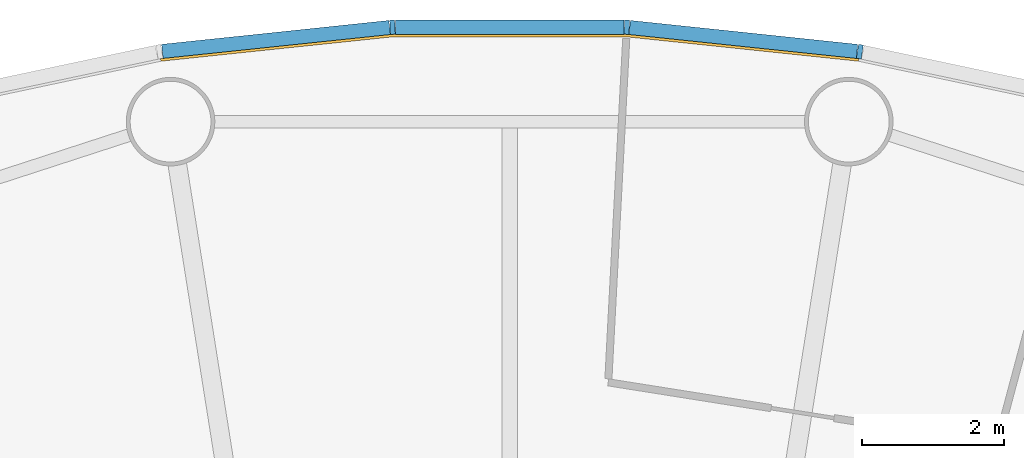
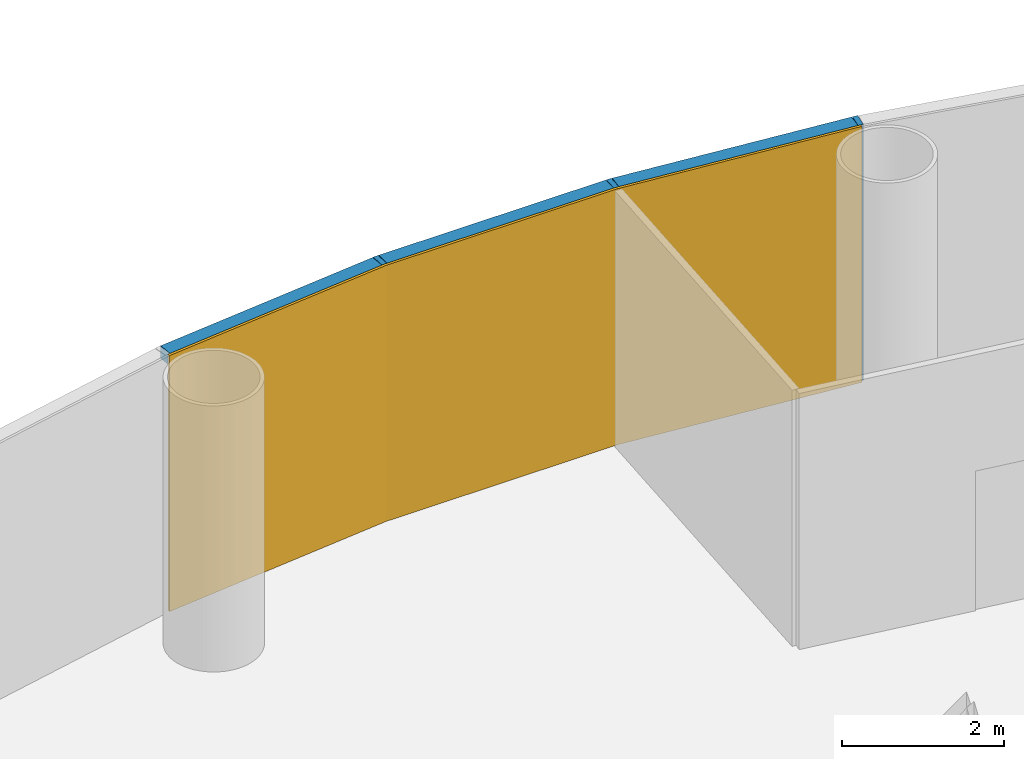
# One storey, part 11 of 13: 6 members, 1 curtain wall.
"""IFC4 building model written with IfcOpenShell, lengths in metres."""

from ifc_helpers import new_model, si_unit, direction, frame, origin, origin_2d, place, context, subcontext, project, spatial, polyline, rectangle, outline, extrude, material, layer, layer_set, material_profile, profile_set, type_object, element, aggregate, save


model = new_model("IFC4")

# Units and contexts
model_context = context("Model", 3, precision=1e-05, world=origin(), true_north=direction((0.0, 1.0)))
body_context = subcontext(model_context, "Body", "Model", "MODEL_VIEW")
ifc_project = project(units=[si_unit("LENGTHUNIT", "METRE"), si_unit("AREAUNIT", "SQUARE_METRE"), si_unit("VOLUMEUNIT", "CUBIC_METRE"), si_unit("PLANEANGLEUNIT", "RADIAN"), si_unit("MASSUNIT", "GRAM", prefix="KILO")], contexts=[model_context])

# Member
ifc_material_1 = material(Name="Anodised aluminium", Category="aluminium")
ifc_material_profile_1 = material_profile(ifc_material_1, rectangle(XDim=0.070068359375, YDim=0.199951171875, at=origin_2d()), Name="Mullion 70 x 200 mm anodised aluminium")
ifc_profile_set_1 = profile_set([ifc_material_profile_1], Name="Anodised aluminium")
member_type_1 = type_object("IfcMemberType", Name="Mullion 70 x 200 mm anodised aluminium", PredefinedType="MULLION", material=ifc_profile_set_1)
site_placement = place(None, origin())
building_placement = place(site_placement, origin())
storey_placement = place(building_placement, frame((0.0, 0.0, 124.0)))
member_1_placement = place(storey_placement, frame((94.943359375, 111.2109375, 0.0), z_axis=(0.0, 0.0, 1.0), x_axis=(-0.987688340595, 0.15643446504, 0.0)))
member_1 = element("IfcMember", 1, at=member_1_placement, type_object=member_type_1, Name="MULLION L28-12", PredefinedType="MULLION", context=body_context, shape_type="SweptSolid", body=[
    extrude(rectangle(XDim=0.070068359375, YDim=0.199951171875, at=origin_2d()), origin(), (0.0, 0.0, 1.0), 3.85009765625),
])

member_2_placement = place(storey_placement, frame((91.65380859375, 111.556640625, 0.0), z_axis=(0.0, 0.0, 1.0), x_axis=(-0.998629534755, 0.052335956243, 0.0)))
member_2 = element("IfcMember", 2, at=member_2_placement, type_object=member_type_1, Name="MULLION L28-13", PredefinedType="MULLION", context=body_context, shape_type="SweptSolid", body=[
    extrude(rectangle(XDim=0.070068359375, YDim=0.199951171875, at=origin_2d()), origin(), (0.0, 0.0, 1.0), 3.85009765625),
])

member_3_placement = place(storey_placement, frame((88.34619140625, 111.556640625, 0.0), z_axis=(0.0, 0.0, 1.0), x_axis=(-0.998629534755, -0.052335956243, 0.0)))
member_3 = element("IfcMember", 3, at=member_3_placement, type_object=member_type_1, Name="MULLION L28-14", PredefinedType="MULLION", context=body_context, shape_type="SweptSolid", body=[
    extrude(rectangle(XDim=0.070068359375, YDim=0.199951171875, at=origin_2d()), origin(), (0.0, 0.0, 1.0), 3.85009765625),
])

ifc_material_2 = material(Name="Anodised aluminium", Category="aluminium")
ifc_material_profile_2 = material_profile(ifc_material_2, rectangle(XDim=0.199951171875, YDim=0.18994140625, at=origin_2d()), Name="Transom 190 x 200 mm anodised aluminium")
ifc_profile_set_2 = profile_set([ifc_material_profile_2], Name="Anodised aluminium")
member_type_2 = type_object("IfcMemberType", Name="Transom 190 x 200 mm anodised aluminium", PredefinedType="USERDEFINED", material=ifc_profile_set_2)
member_4_placement = place(storey_placement, frame((94.9033203125, 111.21533203125, 3.7548828125), z_axis=(-0.994519537956, 0.104550890115, 0.0), x_axis=(-0.104550890115, -0.994519537956, 0.0)))
member_4 = element("IfcMember", 4, at=member_4_placement, type_object=member_type_2, Name="TRANSOM L28-12", ObjectType="TRANSOM", PredefinedType="USERDEFINED", context=body_context, shape_type="SweptSolid", body=[
    extrude(rectangle(XDim=0.199951171875, YDim=0.18994140625, at=origin_2d()), origin(), (0.0, 0.0, 1.0), 3.22705078125),
])

member_5_placement = place(storey_placement, frame((91.613525390625, 111.556884765625, 3.7548828125), z_axis=(-1.0, 0.0, 0.0), x_axis=(0.0, -1.0, 0.0)))
member_5 = element("IfcMember", 5, at=member_5_placement, type_object=member_type_2, Name="TRANSOM L28-13", ObjectType="TRANSOM", PredefinedType="USERDEFINED", context=body_context, shape_type="SweptSolid", body=[
    extrude(rectangle(XDim=0.199951171875, YDim=0.18994140625, at=origin_2d()), origin(), (0.0, 0.0, 1.0), 3.22705078125),
])

member_6_placement = place(storey_placement, frame((88.30615234375, 111.552734375, 3.7548828125), z_axis=(-0.994519537956, -0.104550890115, 0.0), x_axis=(0.104550890115, -0.994519537956, 0.0)))
member_6 = element("IfcMember", 6, at=member_6_placement, type_object=member_type_2, Name="TRANSOM L28-14", ObjectType="TRANSOM", PredefinedType="USERDEFINED", context=body_context, shape_type="SweptSolid", body=[
    extrude(rectangle(XDim=0.199951171875, YDim=0.18994140625, at=origin_2d()), origin(), (0.0, 0.0, 1.0), 3.22705078125),
])

# Site, building, storey
site = spatial("IfcSite", under=ifc_project, at=site_placement, CompositionType="ELEMENT")
building = spatial("IfcBuilding", under=site, at=building_placement, Name="Entoto Ring Tower", CompositionType="ELEMENT")
storey = spatial("IfcBuildingStorey", under=building, at=storey_placement, Name="L28", CompositionType="ELEMENT", Elevation=124.0)

# Curtain wall
ifc_material_3 = material(Name="Clear low-iron glass", Category="glass")
ifc_layer = layer(ifc_material_3, 0.035888671875)
ifc_layer_set = layer_set([ifc_layer], Name="Clear low-iron glass")
curtain_wall_type = type_object("IfcCurtainWallType", Name="Curtain wall system CW2 glazing 36 mm", PredefinedType="NOTDEFINED", material=ifc_layer_set)
curtain_wall_placement = place(storey_placement, origin())
curtain_wall = element("IfcCurtainWall", 7, at=curtain_wall_placement, inside=storey, type_object=curtain_wall_type, Name="CW2 L28-05", PredefinedType="NOTDEFINED", context=body_context, shape_type="SweptSolid", body=[
    extrude(outline(polyline([(94.927734375, 111.1123046875), (91.648681640625, 111.456787109375), (88.351318359375, 111.456787109375), (85.072265625, 111.1123046875), (85.077880859375, 111.07666015625), (88.353271484375, 111.4208984375), (91.646728515625, 111.4208984375), (94.922119140625, 111.07666015625), (94.927734375, 111.1123046875)])), origin(), (0.0, 0.0, 1.0), 3.85009765625),
])

aggregate(curtain_wall, [member_1, member_2, member_3, member_4, member_5, member_6])

save(model, "model.ifc")
